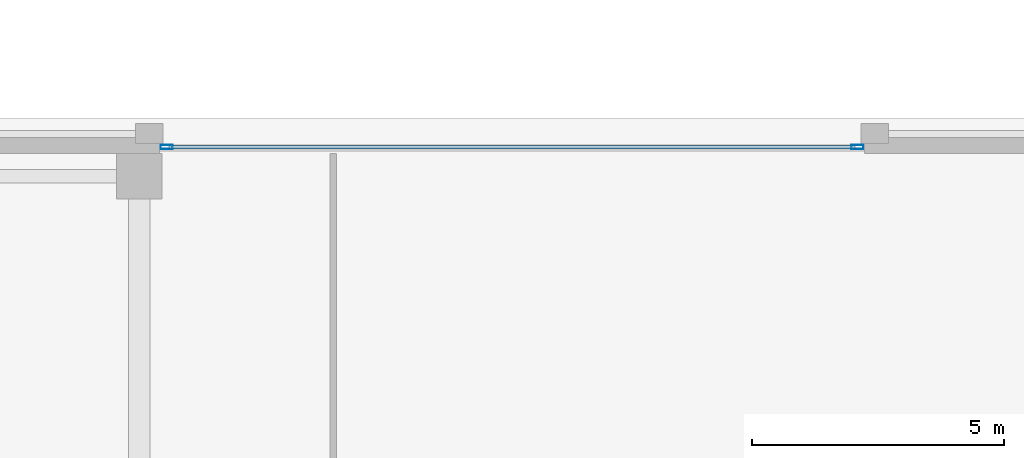
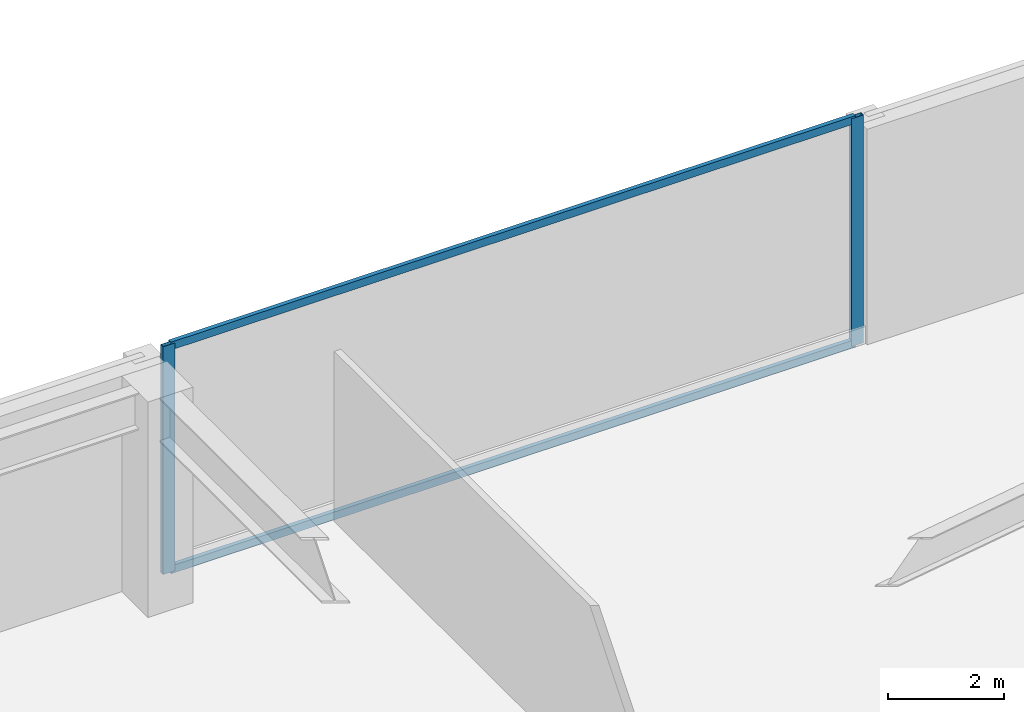
# One storey, part 21 of 44: 4 members, 1 element without a shape of its own.
"""IFC4 building model written with IfcOpenShell, lengths in metres."""

from ifc_helpers import new_model, si_unit, direction, frame, origin, origin_2d, place, context, subcontext, project, spatial, hollow_rectangle, extrude, material, material_profile, profile_set, type_object, element, aggregate, save


model = new_model("IFC4")

# Units and contexts
model_context = context("Model", 3, precision=1e-05, world=origin(), true_north=direction((0.0, 1.0)))
body_context = subcontext(model_context, "Body", "Model", "MODEL_VIEW")
ifc_project = project(units=[si_unit("LENGTHUNIT", "METRE"), si_unit("AREAUNIT", "SQUARE_METRE"), si_unit("VOLUMEUNIT", "CUBIC_METRE"), si_unit("PLANEANGLEUNIT", "RADIAN"), si_unit("MASSUNIT", "GRAM", prefix="KILO")], contexts=[model_context])

# Site, building, storey
site_placement = place(None, origin())
site = spatial("IfcSite", under=ifc_project, at=site_placement, CompositionType="ELEMENT")
building_placement = place(site_placement, origin())
building = spatial("IfcBuilding", under=site, at=building_placement, Name="Tashvorn Skyway Center", CompositionType="ELEMENT")
storey_placement = place(building_placement, frame((0.0, 0.0, 5.39990234375)))
storey = spatial("IfcBuildingStorey", under=building, at=storey_placement, Name="L01", CompositionType="ELEMENT", Elevation=5.39990234375)

# Curtain wall, members
ifc_material = material(Name="Thermally broken bronze-anodized aluminium 6063-T6", Category="aluminium")
curtain_wall_type = type_object("IfcCurtainWallType", Name="CW-CW-Z1", PredefinedType="NOTDEFINED", material=ifc_material)
curtain_wall_placement = place(storey_placement, origin())
curtain_wall = element("IfcCurtainWall", 1, at=curtain_wall_placement, inside=storey, type_object=curtain_wall_type, Name="L01 North Station Arcade Curtain Wall 1", PredefinedType="NOTDEFINED")
ifc_material_profile_1 = material_profile(ifc_material, hollow_rectangle(XDim=0.0849609375, YDim=0.239990234375, WallThickness=0.0048828125, at=origin_2d()), Name="ALU-MULL-85x240")
ifc_profile_set_1 = profile_set([ifc_material_profile_1], Name="Thermally broken bronze-anodized aluminium 6063-T6")
member_type_1 = type_object("IfcMemberType", Name="CWM-CW-Z1", PredefinedType="MULLION", material=ifc_profile_set_1)
member_1_placement = place(storey_placement, frame((18.142578125, 63.780029296875, 0.0), z_axis=(0.0, 0.0, 1.0), x_axis=(0.0, 1.0, 0.0)))
member_1 = element("IfcMember", 2, at=member_1_placement, type_object=member_type_1, Name="CW-Z1 mullion 1", PredefinedType="MULLION", context=body_context, shape_type="SweptSolid", body=[
    extrude(hollow_rectangle(XDim=0.0849609375, YDim=0.239990234375, WallThickness=0.0048828125, at=origin_2d()), origin(), (0.0, 0.0, 1.0), 4.800048828125),
])
member_2_placement = place(storey_placement, frame((31.857421875, 63.780029296875, 0.0), z_axis=(0.0, 0.0, 1.0), x_axis=(0.0, 1.0, 0.0)))
member_2 = element("IfcMember", 3, at=member_2_placement, type_object=member_type_1, Name="CW-Z1 mullion 2", PredefinedType="MULLION", context=body_context, shape_type="SweptSolid", body=[
    extrude(hollow_rectangle(XDim=0.0849609375, YDim=0.239990234375, WallThickness=0.0048828125, at=origin_2d()), origin(), (0.0, 0.0, 1.0), 4.800048828125),
])
ifc_material_profile_2 = material_profile(ifc_material, hollow_rectangle(XDim=0.0849609375, YDim=0.1650390625, WallThickness=0.0048828125, at=origin_2d()), Name="ALU-TRAN-85x165")
ifc_profile_set_2 = profile_set([ifc_material_profile_2], Name="Thermally broken bronze-anodized aluminium 6063-T6")
member_type_2 = type_object("IfcMemberType", Name="CWT-CW-Z1", PredefinedType="USERDEFINED", material=ifc_profile_set_2)
member_3_placement = place(storey_placement, frame((18.18505859375, 63.780029296875, 0.04248046875), z_axis=(1.0, 0.0, 0.0), x_axis=(0.0, 1.0, 0.0)))
member_3 = element("IfcMember", 4, at=member_3_placement, type_object=member_type_2, Name="CW-Z1 transom 1.1", ObjectType="TRANSOM", PredefinedType="USERDEFINED", context=body_context, shape_type="SweptSolid", body=[
    extrude(hollow_rectangle(XDim=0.0849609375, YDim=0.1650390625, WallThickness=0.0048828125, at=origin_2d()), origin(), (0.0, 0.0, 1.0), 13.6298828125),
])
member_4_placement = place(storey_placement, frame((18.18505859375, 63.780029296875, 4.757568359375), z_axis=(1.0, 0.0, 0.0), x_axis=(0.0, 1.0, 0.0)))
member_4 = element("IfcMember", 5, at=member_4_placement, type_object=member_type_2, Name="CW-Z1 transom 1.2", ObjectType="TRANSOM", PredefinedType="USERDEFINED", context=body_context, shape_type="SweptSolid", body=[
    extrude(hollow_rectangle(XDim=0.0849609375, YDim=0.1650390625, WallThickness=0.0048828125, at=origin_2d()), origin(), (0.0, 0.0, 1.0), 13.6298828125),
])
aggregate(curtain_wall, [member_1, member_2, member_3, member_4])

save(model, "model.ifc")
